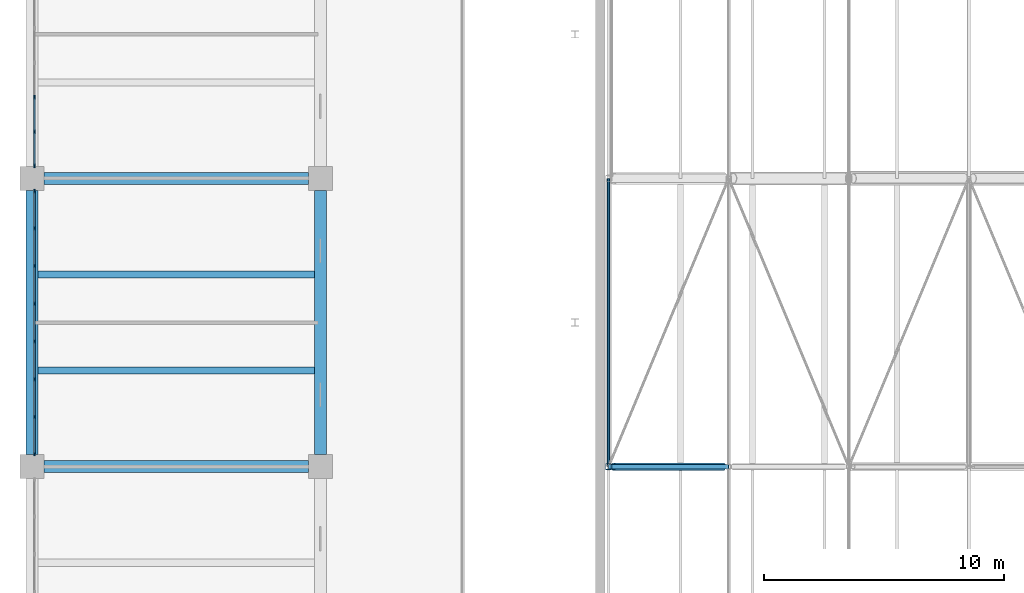
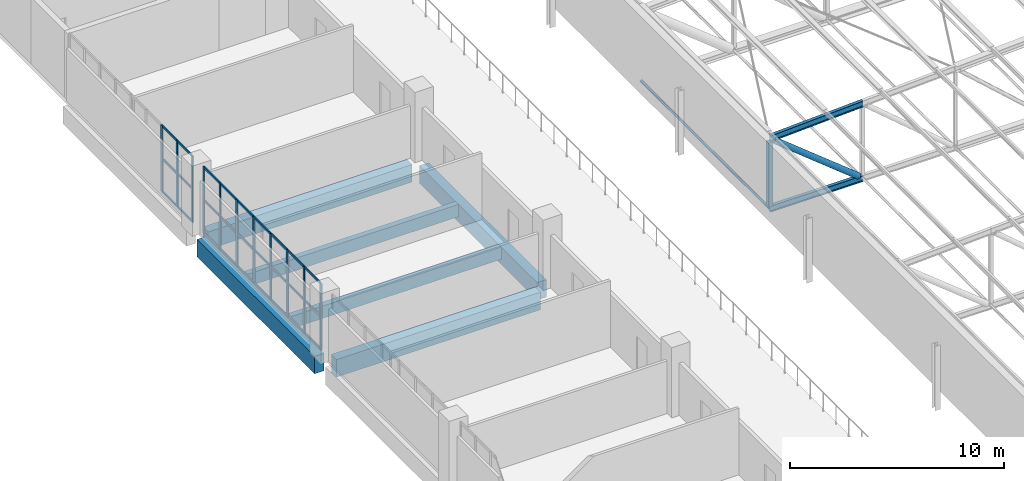
# One storey, part 63 of 156: 43 members, 6 beams, 2 elements without a shape of their own.
"""IFC4 building model written with IfcOpenShell, lengths in metres."""

from ifc_helpers import new_model, si_unit, direction, frame, origin, origin_2d, place, context, subcontext, project, spatial, rectangle, hollow_rectangle, hollow_circle, i_section, extrude, material, layer, layer_set, material_profile, profile_set, type_object, element, aggregate, save


model = new_model("IFC4")

# Units and contexts
model_context = context("Model", 3, precision=1e-05, world=origin(), true_north=direction((0.0, 1.0)))
body_context = subcontext(model_context, "Body", "Model", "MODEL_VIEW")
ifc_project = project(units=[si_unit("LENGTHUNIT", "METRE"), si_unit("AREAUNIT", "SQUARE_METRE"), si_unit("VOLUMEUNIT", "CUBIC_METRE"), si_unit("PLANEANGLEUNIT", "RADIAN"), si_unit("MASSUNIT", "GRAM", prefix="KILO")], contexts=[model_context])

# Site, building, storey
site_placement = place(None, origin())
site = spatial("IfcSite", under=ifc_project, at=site_placement, CompositionType="ELEMENT")
building_placement = place(site_placement, origin())
building = spatial("IfcBuilding", under=site, at=building_placement, Name="Lilac Gate Convention Centre", CompositionType="ELEMENT")
storey_placement = place(building_placement, frame((0.0, 0.0, 17.0)))
storey = spatial("IfcBuildingStorey", under=building, at=storey_placement, Name="L03", CompositionType="ELEMENT", Elevation=17.0)

# Member
ifc_material_1 = material(Name="Steel Q355B", Category="steel")
ifc_material_profile_1 = material_profile(ifc_material_1, hollow_circle(Radius=0.06982421875, WallThickness=0.0048828125, at=origin_2d()), Name="CHS139.7x5")
ifc_profile_set_1 = profile_set([ifc_material_profile_1], Name="Steel Q355B")
member_type_1 = type_object("IfcMemberType", Name="Bottom chord tie CHS139.7x5", PredefinedType="STRUT", material=ifc_profile_set_1)
member_1_placement = place(storey_placement, frame((30.0, 126.00341796875, 0.0), z_axis=(0.0, 1.0, 0.0), x_axis=(-1.0, 0.0, 0.0)))
element("IfcMember", 1, at=member_1_placement, inside=storey, type_object=member_type_1, Name="ST1 tie bay 9 node 1", PredefinedType="STRUT", context=body_context, shape_type="SweptSolid", body=[
    extrude(hollow_circle(Radius=0.06982421875, WallThickness=0.0048828125, at=origin_2d()), origin(), (0.0, 0.0, 1.0), 11.990478515625),
])

# Curtain wall, members
ifc_material_2 = material(Name="Aluminium framed double glazing", Category="aluminium")
ifc_layer = layer(ifc_material_2, 0.199951171875)
ifc_layer_set = layer_set([ifc_layer], Name="Aluminium framed double glazing")
curtain_wall_type = type_object("IfcCurtainWallType", Name="Unitised curtain wall 1500", PredefinedType="NOTDEFINED", material=ifc_layer_set)
curtain_wall_1_placement = place(storey_placement, origin())
curtain_wall_1 = element("IfcCurtainWall", 2, at=curtain_wall_1_placement, inside=storey, type_object=curtain_wall_type, Name="Curtain wall PW L03 5", PredefinedType="NOTDEFINED")
ifc_material_3 = material(Name="Aluminium alloy 6063", Category="aluminium")
ifc_material_profile_2 = material_profile(ifc_material_3, rectangle(XDim=0.06005859375, YDim=0.159912109375, at=origin_2d()), Name="Curtain wall mullion 60 x 160")
ifc_profile_set_2 = profile_set([ifc_material_profile_2], Name="Aluminium alloy 6063")
member_type_2 = type_object("IfcMemberType", Name="Curtain wall mullion 60 x 160", PredefinedType="MULLION", material=ifc_profile_set_2)
member_2_placement = place(storey_placement, frame((6.10009765625, 141.375, 0.0), z_axis=(0.0, 0.0, 1.0), x_axis=(1.0, 0.0, 0.0)))
member_2 = element("IfcMember", 3, at=member_2_placement, type_object=member_type_2, Name="CW mullion 7", PredefinedType="MULLION", context=body_context, shape_type="SweptSolid", body=[
    extrude(rectangle(XDim=0.06005859375, YDim=0.159912109375, at=origin_2d()), origin(), (0.0, 0.0, 1.0), 3.800048828125),
])
member_3_placement = place(storey_placement, frame((6.10009765625, 139.9375, 0.0), z_axis=(0.0, 0.0, 1.0), x_axis=(1.0, 0.0, 0.0)))
member_3 = element("IfcMember", 4, at=member_3_placement, type_object=member_type_2, Name="CW mullion 8", PredefinedType="MULLION", context=body_context, shape_type="SweptSolid", body=[
    extrude(rectangle(XDim=0.06005859375, YDim=0.159912109375, at=origin_2d()), origin(), (0.0, 0.0, 1.0), 3.800048828125),
])
member_4_placement = place(storey_placement, frame((6.10009765625, 138.530029296875, 0.0), z_axis=(0.0, 0.0, 1.0), x_axis=(1.0, 0.0, 0.0)))
member_4 = element("IfcMember", 5, at=member_4_placement, type_object=member_type_2, Name="CW mullion 9", PredefinedType="MULLION", context=body_context, shape_type="SweptSolid", body=[
    extrude(rectangle(XDim=0.06005859375, YDim=0.159912109375, at=origin_2d()), origin(), (0.0, 0.0, 1.0), 3.800048828125),
])

curtain_wall_2_placement = place(storey_placement, origin())
curtain_wall_2 = element("IfcCurtainWall", 6, at=curtain_wall_2_placement, inside=storey, type_object=curtain_wall_type, Name="Curtain wall PW L03 6", PredefinedType="NOTDEFINED")
member_5_placement = place(storey_placement, frame((6.10009765625, 137.469970703125, 0.0), z_axis=(0.0, 0.0, 1.0), x_axis=(1.0, 0.0, 0.0)))
member_5 = element("IfcMember", 7, at=member_5_placement, type_object=member_type_2, Name="CW mullion 1", PredefinedType="MULLION", context=body_context, shape_type="SweptSolid", body=[
    extrude(rectangle(XDim=0.06005859375, YDim=0.159912109375, at=origin_2d()), origin(), (0.0, 0.0, 1.0), 3.800048828125),
])
member_6_placement = place(storey_placement, frame((6.10009765625, 135.928466796875, 0.0), z_axis=(0.0, 0.0, 1.0), x_axis=(1.0, 0.0, 0.0)))
member_6 = element("IfcMember", 8, at=member_6_placement, type_object=member_type_2, Name="CW mullion 2", PredefinedType="MULLION", context=body_context, shape_type="SweptSolid", body=[
    extrude(rectangle(XDim=0.06005859375, YDim=0.159912109375, at=origin_2d()), origin(), (0.0, 0.0, 1.0), 3.800048828125),
])
member_7_placement = place(storey_placement, frame((6.10009765625, 134.357177734375, 0.0), z_axis=(0.0, 0.0, 1.0), x_axis=(1.0, 0.0, 0.0)))
member_7 = element("IfcMember", 9, at=member_7_placement, type_object=member_type_2, Name="CW mullion 3", PredefinedType="MULLION", context=body_context, shape_type="SweptSolid", body=[
    extrude(rectangle(XDim=0.06005859375, YDim=0.159912109375, at=origin_2d()), origin(), (0.0, 0.0, 1.0), 3.800048828125),
])
member_8_placement = place(storey_placement, frame((6.10009765625, 132.78564453125, 0.0), z_axis=(0.0, 0.0, 1.0), x_axis=(1.0, 0.0, 0.0)))
member_8 = element("IfcMember", 10, at=member_8_placement, type_object=member_type_2, Name="CW mullion 4", PredefinedType="MULLION", context=body_context, shape_type="SweptSolid", body=[
    extrude(rectangle(XDim=0.06005859375, YDim=0.159912109375, at=origin_2d()), origin(), (0.0, 0.0, 1.0), 3.800048828125),
])
member_9_placement = place(storey_placement, frame((6.10009765625, 131.21435546875, 0.0), z_axis=(0.0, 0.0, 1.0), x_axis=(1.0, 0.0, 0.0)))
member_9 = element("IfcMember", 11, at=member_9_placement, type_object=member_type_2, Name="CW mullion 5", PredefinedType="MULLION", context=body_context, shape_type="SweptSolid", body=[
    extrude(rectangle(XDim=0.06005859375, YDim=0.159912109375, at=origin_2d()), origin(), (0.0, 0.0, 1.0), 3.800048828125),
])
member_10_placement = place(storey_placement, frame((6.10009765625, 129.642822265625, 0.0), z_axis=(0.0, 0.0, 1.0), x_axis=(1.0, 0.0, 0.0)))
member_10 = element("IfcMember", 12, at=member_10_placement, type_object=member_type_2, Name="CW mullion 6", PredefinedType="MULLION", context=body_context, shape_type="SweptSolid", body=[
    extrude(rectangle(XDim=0.06005859375, YDim=0.159912109375, at=origin_2d()), origin(), (0.0, 0.0, 1.0), 3.800048828125),
])
member_11_placement = place(storey_placement, frame((6.10009765625, 128.071533203125, 0.0), z_axis=(0.0, 0.0, 1.0), x_axis=(1.0, 0.0, 0.0)))
member_11 = element("IfcMember", 13, at=member_11_placement, type_object=member_type_2, Name="CW mullion 7", PredefinedType="MULLION", context=body_context, shape_type="SweptSolid", body=[
    extrude(rectangle(XDim=0.06005859375, YDim=0.159912109375, at=origin_2d()), origin(), (0.0, 0.0, 1.0), 3.800048828125),
])
member_12_placement = place(storey_placement, frame((6.10009765625, 126.530029296875, 0.0), z_axis=(0.0, 0.0, 1.0), x_axis=(1.0, 0.0, 0.0)))
member_12 = element("IfcMember", 14, at=member_12_placement, type_object=member_type_2, Name="CW mullion 8", PredefinedType="MULLION", context=body_context, shape_type="SweptSolid", body=[
    extrude(rectangle(XDim=0.06005859375, YDim=0.159912109375, at=origin_2d()), origin(), (0.0, 0.0, 1.0), 3.800048828125),
])

# Member
ifc_material_profile_3 = material_profile(ifc_material_3, rectangle(XDim=0.06005859375, YDim=0.1201171875, at=origin_2d()), Name="Curtain wall transom 60 x 120")
ifc_profile_set_3 = profile_set([ifc_material_profile_3], Name="Aluminium alloy 6063")
member_type_3 = type_object("IfcMemberType", Name="Curtain wall transom 60 x 120", PredefinedType="USERDEFINED", material=ifc_profile_set_3)
member_13_placement = place(storey_placement, frame((6.10009765625, 141.344970703125, 0.030029296875), z_axis=(0.0, -1.0, 0.0), x_axis=(1.0, 0.0, 0.0)))
member_13 = element("IfcMember", 15, at=member_13_placement, type_object=member_type_3, Name="CW transom 7.1", ObjectType="TRANSOM", PredefinedType="USERDEFINED", context=body_context, shape_type="SweptSolid", body=[
    extrude(rectangle(XDim=0.06005859375, YDim=0.1201171875, at=origin_2d()), origin(), (0.0, 0.0, 1.0), 1.37744140625),
])

member_14_placement = place(storey_placement, frame((6.10009765625, 141.344970703125, 1.89990234375), z_axis=(0.0, -1.0, 0.0), x_axis=(1.0, 0.0, 0.0)))
member_14 = element("IfcMember", 16, at=member_14_placement, type_object=member_type_3, Name="CW transom 7.2", ObjectType="TRANSOM", PredefinedType="USERDEFINED", context=body_context, shape_type="SweptSolid", body=[
    extrude(rectangle(XDim=0.06005859375, YDim=0.1201171875, at=origin_2d()), origin(), (0.0, 0.0, 1.0), 1.37744140625),
])

member_15_placement = place(storey_placement, frame((6.10009765625, 141.344970703125, 3.77001953125), z_axis=(0.0, -1.0, 0.0), x_axis=(1.0, 0.0, 0.0)))
member_15 = element("IfcMember", 17, at=member_15_placement, type_object=member_type_3, Name="CW transom 7.3", ObjectType="TRANSOM", PredefinedType="USERDEFINED", context=body_context, shape_type="SweptSolid", body=[
    extrude(rectangle(XDim=0.06005859375, YDim=0.1201171875, at=origin_2d()), origin(), (0.0, 0.0, 1.0), 1.37744140625),
])

member_16_placement = place(storey_placement, frame((6.10009765625, 139.907470703125, 0.030029296875), z_axis=(0.0, -1.0, 0.0), x_axis=(1.0, 0.0, 0.0)))
member_16 = element("IfcMember", 18, at=member_16_placement, type_object=member_type_3, Name="CW transom 8.1", ObjectType="TRANSOM", PredefinedType="USERDEFINED", context=body_context, shape_type="SweptSolid", body=[
    extrude(rectangle(XDim=0.06005859375, YDim=0.1201171875, at=origin_2d()), origin(), (0.0, 0.0, 1.0), 1.347412109375),
])

member_17_placement = place(storey_placement, frame((6.10009765625, 139.907470703125, 1.89990234375), z_axis=(0.0, -1.0, 0.0), x_axis=(1.0, 0.0, 0.0)))
member_17 = element("IfcMember", 19, at=member_17_placement, type_object=member_type_3, Name="CW transom 8.2", ObjectType="TRANSOM", PredefinedType="USERDEFINED", context=body_context, shape_type="SweptSolid", body=[
    extrude(rectangle(XDim=0.06005859375, YDim=0.1201171875, at=origin_2d()), origin(), (0.0, 0.0, 1.0), 1.347412109375),
])

member_18_placement = place(storey_placement, frame((6.10009765625, 139.907470703125, 3.77001953125), z_axis=(0.0, -1.0, 0.0), x_axis=(1.0, 0.0, 0.0)))
member_18 = element("IfcMember", 20, at=member_18_placement, type_object=member_type_3, Name="CW transom 8.3", ObjectType="TRANSOM", PredefinedType="USERDEFINED", context=body_context, shape_type="SweptSolid", body=[
    extrude(rectangle(XDim=0.06005859375, YDim=0.1201171875, at=origin_2d()), origin(), (0.0, 0.0, 1.0), 1.347412109375),
])

aggregate(curtain_wall_1, [member_2, member_3, member_4, member_13, member_14, member_15, member_16, member_17, member_18])

member_19_placement = place(storey_placement, frame((6.10009765625, 137.43994140625, 0.030029296875), z_axis=(0.0, -1.0, 0.0), x_axis=(1.0, 0.0, 0.0)))
member_19 = element("IfcMember", 21, at=member_19_placement, type_object=member_type_3, Name="CW transom 1.1", ObjectType="TRANSOM", PredefinedType="USERDEFINED", context=body_context, shape_type="SweptSolid", body=[
    extrude(rectangle(XDim=0.06005859375, YDim=0.1201171875, at=origin_2d()), origin(), (0.0, 0.0, 1.0), 1.4814453125),
])

member_20_placement = place(storey_placement, frame((6.10009765625, 137.43994140625, 1.89990234375), z_axis=(0.0, -1.0, 0.0), x_axis=(1.0, 0.0, 0.0)))
member_20 = element("IfcMember", 22, at=member_20_placement, type_object=member_type_3, Name="CW transom 1.2", ObjectType="TRANSOM", PredefinedType="USERDEFINED", context=body_context, shape_type="SweptSolid", body=[
    extrude(rectangle(XDim=0.06005859375, YDim=0.1201171875, at=origin_2d()), origin(), (0.0, 0.0, 1.0), 1.4814453125),
])

member_21_placement = place(storey_placement, frame((6.10009765625, 137.43994140625, 3.77001953125), z_axis=(0.0, -1.0, 0.0), x_axis=(1.0, 0.0, 0.0)))
member_21 = element("IfcMember", 23, at=member_21_placement, type_object=member_type_3, Name="CW transom 1.3", ObjectType="TRANSOM", PredefinedType="USERDEFINED", context=body_context, shape_type="SweptSolid", body=[
    extrude(rectangle(XDim=0.06005859375, YDim=0.1201171875, at=origin_2d()), origin(), (0.0, 0.0, 1.0), 1.4814453125),
])

member_22_placement = place(storey_placement, frame((6.10009765625, 135.898681640625, 0.030029296875), z_axis=(0.0, -1.0, 0.0), x_axis=(1.0, 0.0, 0.0)))
member_22 = element("IfcMember", 24, at=member_22_placement, type_object=member_type_3, Name="CW transom 2.1", ObjectType="TRANSOM", PredefinedType="USERDEFINED", context=body_context, shape_type="SweptSolid", body=[
    extrude(rectangle(XDim=0.06005859375, YDim=0.1201171875, at=origin_2d()), origin(), (0.0, 0.0, 1.0), 1.511474609375),
])

member_23_placement = place(storey_placement, frame((6.10009765625, 135.898681640625, 1.89990234375), z_axis=(0.0, -1.0, 0.0), x_axis=(1.0, 0.0, 0.0)))
member_23 = element("IfcMember", 25, at=member_23_placement, type_object=member_type_3, Name="CW transom 2.2", ObjectType="TRANSOM", PredefinedType="USERDEFINED", context=body_context, shape_type="SweptSolid", body=[
    extrude(rectangle(XDim=0.06005859375, YDim=0.1201171875, at=origin_2d()), origin(), (0.0, 0.0, 1.0), 1.511474609375),
])

member_24_placement = place(storey_placement, frame((6.10009765625, 135.898681640625, 3.77001953125), z_axis=(0.0, -1.0, 0.0), x_axis=(1.0, 0.0, 0.0)))
member_24 = element("IfcMember", 26, at=member_24_placement, type_object=member_type_3, Name="CW transom 2.3", ObjectType="TRANSOM", PredefinedType="USERDEFINED", context=body_context, shape_type="SweptSolid", body=[
    extrude(rectangle(XDim=0.06005859375, YDim=0.1201171875, at=origin_2d()), origin(), (0.0, 0.0, 1.0), 1.511474609375),
])

member_25_placement = place(storey_placement, frame((6.10009765625, 134.3271484375, 0.030029296875), z_axis=(0.0, -1.0, 0.0), x_axis=(1.0, 0.0, 0.0)))
member_25 = element("IfcMember", 27, at=member_25_placement, type_object=member_type_3, Name="CW transom 3.1", ObjectType="TRANSOM", PredefinedType="USERDEFINED", context=body_context, shape_type="SweptSolid", body=[
    extrude(rectangle(XDim=0.06005859375, YDim=0.1201171875, at=origin_2d()), origin(), (0.0, 0.0, 1.0), 1.511474609375),
])

member_26_placement = place(storey_placement, frame((6.10009765625, 134.3271484375, 1.89990234375), z_axis=(0.0, -1.0, 0.0), x_axis=(1.0, 0.0, 0.0)))
member_26 = element("IfcMember", 28, at=member_26_placement, type_object=member_type_3, Name="CW transom 3.2", ObjectType="TRANSOM", PredefinedType="USERDEFINED", context=body_context, shape_type="SweptSolid", body=[
    extrude(rectangle(XDim=0.06005859375, YDim=0.1201171875, at=origin_2d()), origin(), (0.0, 0.0, 1.0), 1.511474609375),
])

member_27_placement = place(storey_placement, frame((6.10009765625, 134.3271484375, 3.77001953125), z_axis=(0.0, -1.0, 0.0), x_axis=(1.0, 0.0, 0.0)))
member_27 = element("IfcMember", 29, at=member_27_placement, type_object=member_type_3, Name="CW transom 3.3", ObjectType="TRANSOM", PredefinedType="USERDEFINED", context=body_context, shape_type="SweptSolid", body=[
    extrude(rectangle(XDim=0.06005859375, YDim=0.1201171875, at=origin_2d()), origin(), (0.0, 0.0, 1.0), 1.511474609375),
])

member_28_placement = place(storey_placement, frame((6.10009765625, 132.755615234375, 0.030029296875), z_axis=(0.0, -1.0, 0.0), x_axis=(1.0, 0.0, 0.0)))
member_28 = element("IfcMember", 30, at=member_28_placement, type_object=member_type_3, Name="CW transom 4.1", ObjectType="TRANSOM", PredefinedType="USERDEFINED", context=body_context, shape_type="SweptSolid", body=[
    extrude(rectangle(XDim=0.06005859375, YDim=0.1201171875, at=origin_2d()), origin(), (0.0, 0.0, 1.0), 1.51123046875),
])

member_29_placement = place(storey_placement, frame((6.10009765625, 132.755615234375, 1.89990234375), z_axis=(0.0, -1.0, 0.0), x_axis=(1.0, 0.0, 0.0)))
member_29 = element("IfcMember", 31, at=member_29_placement, type_object=member_type_3, Name="CW transom 4.2", ObjectType="TRANSOM", PredefinedType="USERDEFINED", context=body_context, shape_type="SweptSolid", body=[
    extrude(rectangle(XDim=0.06005859375, YDim=0.1201171875, at=origin_2d()), origin(), (0.0, 0.0, 1.0), 1.51123046875),
])

member_30_placement = place(storey_placement, frame((6.10009765625, 132.755615234375, 3.77001953125), z_axis=(0.0, -1.0, 0.0), x_axis=(1.0, 0.0, 0.0)))
member_30 = element("IfcMember", 32, at=member_30_placement, type_object=member_type_3, Name="CW transom 4.3", ObjectType="TRANSOM", PredefinedType="USERDEFINED", context=body_context, shape_type="SweptSolid", body=[
    extrude(rectangle(XDim=0.06005859375, YDim=0.1201171875, at=origin_2d()), origin(), (0.0, 0.0, 1.0), 1.51123046875),
])

member_31_placement = place(storey_placement, frame((6.10009765625, 131.184326171875, 0.030029296875), z_axis=(0.0, -1.0, 0.0), x_axis=(1.0, 0.0, 0.0)))
member_31 = element("IfcMember", 33, at=member_31_placement, type_object=member_type_3, Name="CW transom 5.1", ObjectType="TRANSOM", PredefinedType="USERDEFINED", context=body_context, shape_type="SweptSolid", body=[
    extrude(rectangle(XDim=0.06005859375, YDim=0.1201171875, at=origin_2d()), origin(), (0.0, 0.0, 1.0), 1.511474609375),
])

member_32_placement = place(storey_placement, frame((6.10009765625, 131.184326171875, 1.89990234375), z_axis=(0.0, -1.0, 0.0), x_axis=(1.0, 0.0, 0.0)))
member_32 = element("IfcMember", 34, at=member_32_placement, type_object=member_type_3, Name="CW transom 5.2", ObjectType="TRANSOM", PredefinedType="USERDEFINED", context=body_context, shape_type="SweptSolid", body=[
    extrude(rectangle(XDim=0.06005859375, YDim=0.1201171875, at=origin_2d()), origin(), (0.0, 0.0, 1.0), 1.511474609375),
])

member_33_placement = place(storey_placement, frame((6.10009765625, 131.184326171875, 3.77001953125), z_axis=(0.0, -1.0, 0.0), x_axis=(1.0, 0.0, 0.0)))
member_33 = element("IfcMember", 35, at=member_33_placement, type_object=member_type_3, Name="CW transom 5.3", ObjectType="TRANSOM", PredefinedType="USERDEFINED", context=body_context, shape_type="SweptSolid", body=[
    extrude(rectangle(XDim=0.06005859375, YDim=0.1201171875, at=origin_2d()), origin(), (0.0, 0.0, 1.0), 1.511474609375),
])

member_34_placement = place(storey_placement, frame((6.10009765625, 129.61279296875, 0.030029296875), z_axis=(0.0, -1.0, 0.0), x_axis=(1.0, 0.0, 0.0)))
member_34 = element("IfcMember", 36, at=member_34_placement, type_object=member_type_3, Name="CW transom 6.1", ObjectType="TRANSOM", PredefinedType="USERDEFINED", context=body_context, shape_type="SweptSolid", body=[
    extrude(rectangle(XDim=0.06005859375, YDim=0.1201171875, at=origin_2d()), origin(), (0.0, 0.0, 1.0), 1.511474609375),
])

member_35_placement = place(storey_placement, frame((6.10009765625, 129.61279296875, 1.89990234375), z_axis=(0.0, -1.0, 0.0), x_axis=(1.0, 0.0, 0.0)))
member_35 = element("IfcMember", 37, at=member_35_placement, type_object=member_type_3, Name="CW transom 6.2", ObjectType="TRANSOM", PredefinedType="USERDEFINED", context=body_context, shape_type="SweptSolid", body=[
    extrude(rectangle(XDim=0.06005859375, YDim=0.1201171875, at=origin_2d()), origin(), (0.0, 0.0, 1.0), 1.511474609375),
])

member_36_placement = place(storey_placement, frame((6.10009765625, 129.61279296875, 3.77001953125), z_axis=(0.0, -1.0, 0.0), x_axis=(1.0, 0.0, 0.0)))
member_36 = element("IfcMember", 38, at=member_36_placement, type_object=member_type_3, Name="CW transom 6.3", ObjectType="TRANSOM", PredefinedType="USERDEFINED", context=body_context, shape_type="SweptSolid", body=[
    extrude(rectangle(XDim=0.06005859375, YDim=0.1201171875, at=origin_2d()), origin(), (0.0, 0.0, 1.0), 1.511474609375),
])

member_37_placement = place(storey_placement, frame((6.10009765625, 128.04150390625, 0.030029296875), z_axis=(0.0, -1.0, 0.0), x_axis=(1.0, 0.0, 0.0)))
member_37 = element("IfcMember", 39, at=member_37_placement, type_object=member_type_3, Name="CW transom 7.1", ObjectType="TRANSOM", PredefinedType="USERDEFINED", context=body_context, shape_type="SweptSolid", body=[
    extrude(rectangle(XDim=0.06005859375, YDim=0.1201171875, at=origin_2d()), origin(), (0.0, 0.0, 1.0), 1.4814453125),
])

member_38_placement = place(storey_placement, frame((6.10009765625, 128.04150390625, 1.89990234375), z_axis=(0.0, -1.0, 0.0), x_axis=(1.0, 0.0, 0.0)))
member_38 = element("IfcMember", 40, at=member_38_placement, type_object=member_type_3, Name="CW transom 7.2", ObjectType="TRANSOM", PredefinedType="USERDEFINED", context=body_context, shape_type="SweptSolid", body=[
    extrude(rectangle(XDim=0.06005859375, YDim=0.1201171875, at=origin_2d()), origin(), (0.0, 0.0, 1.0), 1.4814453125),
])

member_39_placement = place(storey_placement, frame((6.10009765625, 128.04150390625, 3.77001953125), z_axis=(0.0, -1.0, 0.0), x_axis=(1.0, 0.0, 0.0)))
member_39 = element("IfcMember", 41, at=member_39_placement, type_object=member_type_3, Name="CW transom 7.3", ObjectType="TRANSOM", PredefinedType="USERDEFINED", context=body_context, shape_type="SweptSolid", body=[
    extrude(rectangle(XDim=0.06005859375, YDim=0.1201171875, at=origin_2d()), origin(), (0.0, 0.0, 1.0), 1.4814453125),
])

aggregate(curtain_wall_2, [member_5, member_6, member_7, member_8, member_9, member_10, member_11, member_12, member_19, member_20, member_21, member_22, member_23, member_24, member_25, member_26, member_27, member_28, member_29, member_30, member_31, member_32, member_33, member_34, member_35, member_36, member_37, member_38, member_39])

# Beams
ifc_material_4 = material(Name="Concrete C40", Category="concrete")
ifc_material_profile_4 = material_profile(ifc_material_4, rectangle(XDim=0.5, YDim=1.0, at=origin_2d()), Name="RC 500x1000")
ifc_profile_set_4 = profile_set([ifc_material_profile_4], Name="Concrete C40")
beam_type_1 = type_object("IfcBeamType", Name="Primary beam 500x1000 C40", PredefinedType="BEAM", material=ifc_profile_set_4)
for number, where, z_axis, x_axis, name in (
    (42, (6.5, 126.0, -0.75), (1.0, 0.0, 0.0), (0.0, 1.0, 0.0), "RB1 L03 1/J-2/J"),
    (43, (6.5, 138.0, -0.75), (1.0, 0.0, 0.0), (0.0, 1.0, 0.0), "RB1 L03 1/K-2/K"),
    (44, (6.0, 126.5, -0.75), (0.0, 1.0, 0.0), (-1.0, 0.0, 0.0), "RB1 L03 1/J-1/K"),
    (45, (18.0, 126.5, -0.75), (0.0, 1.0, 0.0), (-1.0, 0.0, 0.0), "RB1 L03 2/J-2/K"),
):
    element("IfcBeam", number, at=place(storey_placement, frame(where, z_axis=z_axis, x_axis=x_axis)), inside=storey, type_object=beam_type_1, Name=name, PredefinedType="BEAM", context=body_context, shape_type="SweptSolid", body=[
        extrude(rectangle(XDim=0.5, YDim=1.0, at=origin_2d()), origin(), (0.0, 0.0, 1.0), 11.0),
    ])
ifc_material_profile_5 = material_profile(ifc_material_4, rectangle(XDim=0.300048828125, YDim=0.699951171875, at=origin_2d()), Name="RC 300x700")
ifc_profile_set_5 = profile_set([ifc_material_profile_5], Name="Concrete C40")
beam_type_2 = type_object("IfcBeamType", Name="Secondary beam 300x700 C40", PredefinedType="BEAM", material=ifc_profile_set_5)
for number, where, z_axis, x_axis, name in (
    (46, (6.25, 130.0, -0.60009765625), (1.0, 0.0, 0.0), (0.0, 1.0, 0.0), "RB2 L03 bay 1/J"),
    (47, (6.25, 134.0, -0.60009765625), (1.0, 0.0, 0.0), (0.0, 1.0, 0.0), "RB2 L03 bay 1/J"),
):
    element("IfcBeam", number, at=place(storey_placement, frame(where, z_axis=z_axis, x_axis=x_axis)), inside=storey, type_object=beam_type_2, Name=name, PredefinedType="BEAM", context=body_context, shape_type="SweptSolid", body=[
        extrude(rectangle(XDim=0.300048828125, YDim=0.699951171875, at=origin_2d()), origin(), (0.0, 0.0, 1.0), 11.5),
    ])

# Members
ifc_material_profile_6 = material_profile(ifc_material_1, i_section(OverallWidth=0.175048828125, OverallDepth=0.35009765625, WebThickness=0.007080078125, FlangeThickness=0.010986328125, FilletRadius=0.012939453125, at=origin_2d()), Name="HN350x175x7x11")
ifc_profile_set_6 = profile_set([ifc_material_profile_6], Name="Steel Q355B")
member_type_4 = type_object("IfcMemberType", Name="Truss bottom chord HN350x175x7x11", PredefinedType="CHORD", material=ifc_profile_set_6)
member_40_placement = place(storey_placement, frame((30.0, 126.0, 0.0), z_axis=(1.0, 0.0, 0.0), x_axis=(0.0, 1.0, 0.0)))
element("IfcMember", 48, at=member_40_placement, inside=storey, type_object=member_type_4, Name="TB1 truss 9 bottom chord 1", PredefinedType="CHORD", context=body_context, shape_type="SweptSolid", body=[
    extrude(i_section(OverallWidth=0.175048828125, OverallDepth=0.35009765625, WebThickness=0.007080078125, FlangeThickness=0.010986328125, FilletRadius=0.012939453125, at=origin_2d()), origin(), (0.0, 0.0, 1.0), 5.0),
])
ifc_material_profile_7 = material_profile(ifc_material_1, hollow_circle(Radius=0.161865234375, WallThickness=0.011962890625, at=origin_2d()), Name="CHS323.9x12")
ifc_profile_set_7 = profile_set([ifc_material_profile_7], Name="Steel Q355B")
member_type_5 = type_object("IfcMemberType", Name="Truss diagonal CHS323.9x12", PredefinedType="BRACE", material=ifc_profile_set_7)
member_41_placement = place(storey_placement, frame((30.205322265625, 126.0, 3.835693359375), z_axis=(0.780876938611, 0.0, -0.624684885959), x_axis=(0.0, 1.0, 0.0)))
element("IfcMember", 49, at=member_41_placement, inside=storey, type_object=member_type_5, Name="TW1 truss 9 diagonal 1", PredefinedType="BRACE", context=body_context, shape_type="SweptSolid", body=[
    extrude(hollow_circle(Radius=0.161865234375, WallThickness=0.011962890625, at=origin_2d()), origin(), (0.0, 0.0, 1.0), 5.860107421875),
])
ifc_material_profile_8 = material_profile(ifc_material_1, i_section(OverallWidth=0.175048828125, OverallDepth=0.35009765625, WebThickness=0.007080078125, FlangeThickness=0.010986328125, FilletRadius=0.012939453125, at=origin_2d()), Name="HN350x175x7x11")
ifc_profile_set_8 = profile_set([ifc_material_profile_8], Name="Steel Q355B")
member_type_6 = type_object("IfcMemberType", Name="Truss top chord HN350x175x7x11", PredefinedType="CHORD", material=ifc_profile_set_8)
member_42_placement = place(storey_placement, frame((30.0, 126.0, 4.0), z_axis=(0.998752338878, 0.0, 0.049937616944), x_axis=(0.0, 1.0, 0.0)))
element("IfcMember", 50, at=member_42_placement, inside=storey, type_object=member_type_6, Name="TT1 truss 9 top chord 1", PredefinedType="CHORD", context=body_context, shape_type="SweptSolid", body=[
    extrude(i_section(OverallWidth=0.175048828125, OverallDepth=0.35009765625, WebThickness=0.007080078125, FlangeThickness=0.010986328125, FilletRadius=0.012939453125, at=origin_2d()), origin(), (0.0, 0.0, 1.0), 5.00634765625),
])
ifc_material_profile_9 = material_profile(ifc_material_1, hollow_rectangle(XDim=0.25, YDim=0.25, WallThickness=0.010009765625, InnerFilletRadius=0.014892578125, OuterFilletRadius=0.02490234375, at=origin_2d()), Name="SHS250x250x10")
ifc_profile_set_9 = profile_set([ifc_material_profile_9], Name="Steel Q355B")
member_type_7 = type_object("IfcMemberType", Name="Truss vertical SHS250x250x10", PredefinedType="STRUT", material=ifc_profile_set_9)
member_43_placement = place(storey_placement, frame((30.0, 126.0, 0.175048828125), z_axis=(0.0, 0.0, 1.0), x_axis=(1.0, 0.0, 0.0)))
element("IfcMember", 51, at=member_43_placement, inside=storey, type_object=member_type_7, Name="TV1 truss 9 vertical 1", PredefinedType="STRUT", context=body_context, shape_type="SweptSolid", body=[
    extrude(hollow_rectangle(XDim=0.25, YDim=0.25, WallThickness=0.010009765625, InnerFilletRadius=0.014892578125, OuterFilletRadius=0.02490234375, at=origin_2d()), origin(), (0.0, 0.0, 1.0), 3.649658203125),
])

save(model, "model.ifc")
